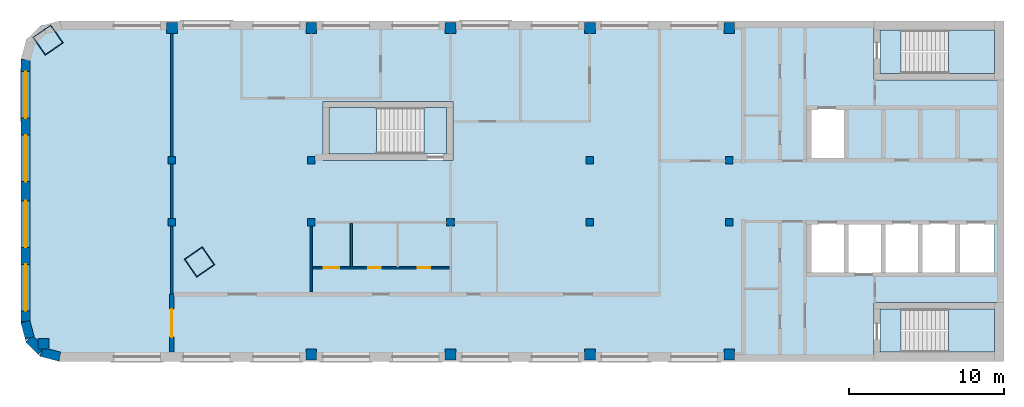
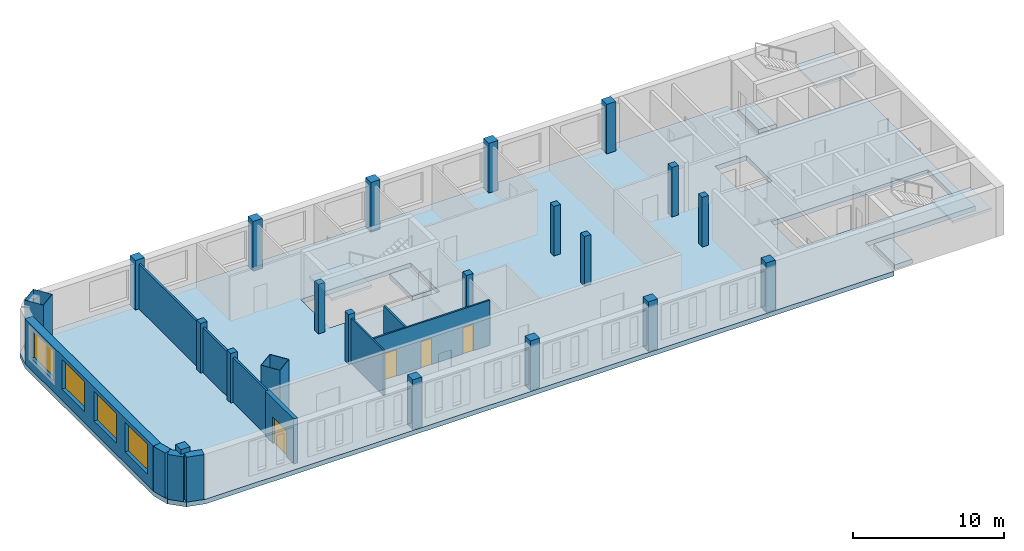
# One storey, part 1 of 6: 21 columns, 9 walls, 7 slabs, 4 doors, 4 windows, 8 openings, 3 elements without a shape of their own.
"""IFC4 building model written with IfcOpenShell, lengths in metres."""

from ifc_helpers import new_model, si_unit, direction, frame, frame_2d, origin, origin_2d, place, context, subcontext, project, spatial, polyline, rectangle, hollow_rectangle, outline, extrude, material, layer, layer_set, material_profile, profile_set, type_object, element, fill, aggregate, save


model = new_model("IFC4")

# Units and contexts
model_context = context("Model", 3, precision=1e-05, world=origin(), true_north=direction((0.0, 1.0)))
body_context = subcontext(model_context, "Body", "Model", "MODEL_VIEW")
ifc_project = project(units=[si_unit("LENGTHUNIT", "METRE"), si_unit("AREAUNIT", "SQUARE_METRE"), si_unit("VOLUMEUNIT", "CUBIC_METRE"), si_unit("PLANEANGLEUNIT", "RADIAN"), si_unit("MASSUNIT", "GRAM", prefix="KILO")], contexts=[model_context])

# Site, building, storey
site_placement = place(None, origin())
site = spatial("IfcSite", under=ifc_project, at=site_placement, CompositionType="ELEMENT")
building_placement = place(site_placement, origin())
building = spatial("IfcBuilding", under=site, at=building_placement, Name="Skarvind Civic Tower", CompositionType="ELEMENT")
storey_placement = place(building_placement, frame((0.0, 0.0, 269.5)))
storey = spatial("IfcBuildingStorey", under=building, at=storey_placement, Name="L64", CompositionType="ELEMENT", Elevation=269.5)

# Columns
ifc_material_1 = material(Name="Concrete C60", Category="concrete")
ifc_material_profile_1 = material_profile(ifc_material_1, rectangle(XDim=0.5, YDim=0.5, at=origin_2d()), Name="RC-500x500")
ifc_profile_set_1 = profile_set([ifc_material_profile_1], Name="Concrete C60")
column_type_1 = type_object("IfcColumnType", Name="Column RC-500x500 C60", PredefinedType="COLUMN", material=ifc_profile_set_1)
for number, where, z_axis, x_axis, name in (
    (1, (54.25, 130.0, 0.0), (0.0, 0.0, 1.0), (1.0, 0.0, 0.0), "Column wing 1 north inner 02 L64"),
    (2, (63.25, 130.0, 0.0), (0.0, 0.0, 1.0), (1.0, 0.0, 0.0), "Column wing 1 north inner 03 L64"),
    (3, (81.25, 130.0, 0.0), (0.0, 0.0, 1.0), (1.0, 0.0, 0.0), "Column wing 1 north inner 05 L64"),
    (4, (90.25, 130.0, 0.0), (0.0, 0.0, 1.0), (1.0, 0.0, 0.0), "Column wing 1 north inner 06 L64"),
    (5, (54.25, 126.0, 0.0), (0.0, 0.0, 1.0), (1.0, 0.0, 0.0), "Column wing 1 south inner 02 L64"),
    (6, (63.25, 126.0, 0.0), (0.0, 0.0, 1.0), (1.0, 0.0, 0.0), "Column wing 1 south inner 03 L64"),
    (7, (72.25, 126.0, 0.0), (0.0, 0.0, 1.0), (1.0, 0.0, 0.0), "Column wing 1 south inner 04 L64"),
    (8, (81.25, 126.0, 0.0), (0.0, 0.0, 1.0), (1.0, 0.0, 0.0), "Column wing 1 south inner 05 L64"),
    (9, (90.25, 126.0, 0.0), (0.0, 0.0, 1.0), (1.0, 0.0, 0.0), "Column wing 1 south inner 06 L64"),
):
    element("IfcColumn", number, at=place(storey_placement, frame(where, z_axis=z_axis, x_axis=x_axis)), inside=storey, type_object=column_type_1, Name=name, PredefinedType="COLUMN", context=body_context, shape_type="SweptSolid", body=[
        extrude(rectangle(XDim=0.5, YDim=0.5, at=origin_2d()), origin(), (0.0, 0.0, 1.0), 4.0),
    ])
ifc_material_profile_2 = material_profile(ifc_material_1, rectangle(XDim=0.699951171875, YDim=0.699951171875, at=origin_2d()), Name="RC-700x700")
ifc_profile_set_2 = profile_set([ifc_material_profile_2], Name="Concrete C60")
column_type_2 = type_object("IfcColumnType", Name="Column RC-700x700 C60", PredefinedType="COLUMN", material=ifc_profile_set_2)
for number, where, z_axis, x_axis, name in (
    (10, (54.25, 138.550048828125, 0.0), (0.0, 0.0, 1.0), (1.0, 0.0, 0.0), "Column wing 1 north perimeter 02 L64"),
    (11, (63.25, 138.550048828125, 0.0), (0.0, 0.0, 1.0), (1.0, 0.0, 0.0), "Column wing 1 north perimeter 03 L64"),
    (12, (72.25, 138.550048828125, 0.0), (0.0, 0.0, 1.0), (1.0, 0.0, 0.0), "Column wing 1 north perimeter 04 L64"),
    (13, (81.25, 138.550048828125, 0.0), (0.0, 0.0, 1.0), (1.0, 0.0, 0.0), "Column wing 1 north perimeter 05 L64"),
    (14, (90.25, 138.550048828125, 0.0), (0.0, 0.0, 1.0), (1.0, 0.0, 0.0), "Column wing 1 north perimeter 06 L64"),
    (15, (45.95166015625, 118.151611328125, 0.0), (0.0, 0.0, 1.0), (1.0, 0.0, 0.0), "Column wing 1 south perimeter 01 L64"),
    (16, (63.25, 117.449951171875, 0.0), (0.0, 0.0, 1.0), (1.0, 0.0, 0.0), "Column wing 1 south perimeter 03 L64"),
    (17, (72.25, 117.449951171875, 0.0), (0.0, 0.0, 1.0), (1.0, 0.0, 0.0), "Column wing 1 south perimeter 04 L64"),
    (18, (81.25, 117.449951171875, 0.0), (0.0, 0.0, 1.0), (1.0, 0.0, 0.0), "Column wing 1 south perimeter 05 L64"),
    (19, (90.25, 117.449951171875, 0.0), (0.0, 0.0, 1.0), (1.0, 0.0, 0.0), "Column wing 1 south perimeter 06 L64"),
):
    element("IfcColumn", number, at=place(storey_placement, frame(where, z_axis=z_axis, x_axis=x_axis)), inside=storey, type_object=column_type_2, Name=name, PredefinedType="COLUMN", context=body_context, shape_type="SweptSolid", body=[
        extrude(rectangle(XDim=0.699951171875, YDim=0.699951171875, at=origin_2d()), origin(), (0.0, 0.0, 1.0), 4.0),
    ])
ifc_material_2 = material(Name="Composite concrete-filled steel tube, Steel SM355 with Concrete C60", Category="concrete")
ifc_material_profile_3 = material_profile(ifc_material_2, hollow_rectangle(XDim=1.39990234375, YDim=1.39990234375, WallThickness=0.02490234375, at=origin_2d()), Name="BOX-1400x1400x25")
ifc_profile_set_3 = profile_set([ifc_material_profile_3], Name="Composite concrete-filled steel tube, Steel SM355 with Concrete C60")
column_type_3 = type_object("IfcColumnType", Name="Mega column BOX-1400x1400x25 filled C60", PredefinedType="COLUMN", material=ifc_profile_set_3)
for number, where, z_axis, x_axis, name in (
    (20, (46.2470703125, 137.762451171875, 0.0), (0.0, 0.0, 1.0), (0.573576436351, -0.819152044289, 0.0), "Mega column 2 L64"),
    (21, (56.0361328125, 123.43017578125, 0.0), (0.0, 0.0, 1.0), (0.573576436351, -0.819152044289, 0.0), "Mega column 4 L64"),
):
    element("IfcColumn", number, at=place(storey_placement, frame(where, z_axis=z_axis, x_axis=x_axis)), inside=storey, type_object=column_type_3, Name=name, PredefinedType="COLUMN", context=body_context, shape_type="SweptSolid", body=[
        extrude(hollow_rectangle(XDim=1.39990234375, YDim=1.39990234375, WallThickness=0.02490234375, at=origin_2d()), origin(), (0.0, 0.0, 1.0), 4.0),
    ])

# Slabs
ifc_material_3 = material(Name="Concrete C50", Category="concrete")
ifc_layer_1 = layer(ifc_material_3, 0.375)
ifc_layer_set_1 = layer_set([ifc_layer_1], Name="Floor slab 375 C50")
slab_type_1 = type_object("IfcSlabType", Name="Floor slab 375 C50", PredefinedType="FLOOR", material=ifc_layer_set_1)
slab_1_placement = place(storey_placement, frame((0.0, 0.0, -0.375)))
element("IfcSlab", 22, at=slab_1_placement, inside=storey, type_object=slab_type_1, Name="Floor slab L64 1", PredefinedType="FLOOR", context=body_context, shape_type="SweptSolid", body=[
    extrude(outline(polyline([(99.60009765625, 117.0), (99.60009765625, 120.800048828125), (108.0, 120.800048828125), (108.0, 135.199951171875), (99.60009765625, 135.199951171875), (99.60009765625, 139.0), (47.0, 139.0), (45.75, 138.6650390625), (44.8349609375, 137.75), (44.5, 136.5), (44.5, 119.5), (44.8349609375, 118.25), (45.75, 117.3349609375), (47.0, 117.0), (99.60009765625, 117.0)]), holes=[polyline([(95.39990234375, 126.0), (97.800048828125, 126.0), (100.199951171875, 126.0), (102.60009765625, 126.0), (105.0, 126.0), (107.39990234375, 126.0), (107.39990234375, 122.60009765625), (105.0, 122.60009765625), (102.60009765625, 122.60009765625), (100.199951171875, 122.60009765625), (97.800048828125, 122.60009765625), (95.39990234375, 122.60009765625), (95.39990234375, 126.0)]), polyline([(95.39990234375, 133.39990234375), (97.800048828125, 133.39990234375), (97.800048828125, 130.0), (95.39990234375, 130.0), (95.39990234375, 133.39990234375)]), polyline([(64.0, 130.0), (64.0, 133.800048828125), (72.39990234375, 133.800048828125), (72.39990234375, 130.0), (64.0, 130.0)])]), origin(), (0.0, 0.0, 1.0), 0.375),
])
ifc_material_4 = material(Name="Concrete C40/50", Category="concrete")
ifc_layer_2 = layer(ifc_material_4, 0.375)
ifc_layer_set_2 = layer_set([ifc_layer_2], Name="Stair floor landing slab 375")
slab_type_2 = type_object("IfcSlabType", Name="Stair floor landing slab 375", PredefinedType="LANDING", material=ifc_layer_set_2)
slab_2_placement = place(storey_placement, frame((0.0, 0.0, -0.375)))
element("IfcSlab", 23, at=slab_2_placement, inside=storey, type_object=slab_type_2, Name="Stair floor landing", PredefinedType="LANDING", context=body_context, shape_type="SweptSolid", body=[
    extrude(outline(polyline([(101.3505859375, 138.400634765625), (101.3505859375, 135.599365234375), (99.99951171875, 135.599365234375), (99.99951171875, 138.400634765625), (101.3505859375, 138.400634765625)])), origin(), (0.0, 0.0, 1.0), 0.375),
])
slab_3_placement = place(storey_placement, frame((0.0, 0.0, -0.375)))
element("IfcSlab", 24, at=slab_3_placement, inside=storey, type_object=slab_type_2, Name="Stair floor landing", PredefinedType="LANDING", context=body_context, shape_type="SweptSolid", body=[
    extrude(outline(polyline([(101.3505859375, 120.400634765625), (101.3505859375, 117.599365234375), (99.99951171875, 117.599365234375), (99.99951171875, 120.400634765625), (101.3505859375, 120.400634765625)])), origin(), (0.0, 0.0, 1.0), 0.375),
])
slab_4_placement = place(storey_placement, frame((0.0, 0.0, -0.375)))
element("IfcSlab", 25, at=slab_4_placement, inside=storey, type_object=slab_type_2, Name="Stair floor landing", PredefinedType="LANDING", context=body_context, shape_type="SweptSolid", body=[
    extrude(outline(polyline([(70.54931640625, 130.3994140625), (70.54931640625, 133.400634765625), (72.00048828125, 133.400634765625), (72.00048828125, 130.3994140625), (70.54931640625, 130.3994140625)])), origin(), (0.0, 0.0, 1.0), 0.375),
])

# Stair, slab
stair_type_1 = type_object("IfcStairType", Name="Exit stair, half-turn, concrete", PredefinedType="HALF_TURN_STAIR", material=ifc_material_4)
stair_1_placement = place(storey_placement, origin())
stair_1 = element("IfcStair", 26, at=stair_1_placement, inside=storey, type_object=stair_type_1, Name="Exit stair C1S", PredefinedType="HALF_TURN_STAIR")
ifc_layer_3 = layer(ifc_material_4, 0.199951171875)
ifc_layer_set_3 = layer_set([ifc_layer_3], Name="Stair half landing slab")
slab_type_3 = type_object("IfcSlabType", Name="Stair half landing slab", PredefinedType="LANDING", material=ifc_layer_set_3)
slab_5_placement = place(storey_placement, frame((0.0, 0.0, 1.800048828125)))
slab_5 = element("IfcSlab", 27, at=slab_5_placement, type_object=slab_type_3, Name="ST-C1S landing 1", PredefinedType="LANDING", context=body_context, shape_type="SweptSolid", body=[
    extrude(outline(polyline([(104.429443359375, 135.599365234375), (104.429443359375, 138.400634765625), (107.400634765625, 138.400634765625), (107.400634765625, 135.599365234375), (104.429443359375, 135.599365234375)])), origin(), (0.0, 0.0, 1.0), 0.199951171875),
])
aggregate(stair_1, [slab_5])

stair_2_placement = place(storey_placement, origin())
stair_2 = element("IfcStair", 28, at=stair_2_placement, inside=storey, type_object=stair_type_1, Name="Exit stair C1N", PredefinedType="HALF_TURN_STAIR")
slab_6_placement = place(storey_placement, frame((0.0, 0.0, 1.800048828125)))
slab_6 = element("IfcSlab", 29, at=slab_6_placement, type_object=slab_type_3, Name="ST-C1N landing 1", PredefinedType="LANDING", context=body_context, shape_type="SweptSolid", body=[
    extrude(outline(polyline([(104.429443359375, 117.599365234375), (104.429443359375, 120.400634765625), (107.400634765625, 120.400634765625), (107.400634765625, 117.599365234375), (104.429443359375, 117.599365234375)])), origin(), (0.0, 0.0, 1.0), 0.199951171875),
])
aggregate(stair_2, [slab_6])

stair_type_2 = type_object("IfcStairType", Name="Exit stair 1450, half-turn, concrete", PredefinedType="HALF_TURN_STAIR", material=ifc_material_4)
stair_3_placement = place(storey_placement, origin())
stair_3 = element("IfcStair", 30, at=stair_3_placement, inside=storey, type_object=stair_type_2, Name="Exit stair CM", PredefinedType="HALF_TURN_STAIR")
slab_7_placement = place(storey_placement, frame((0.0, 0.0, 1.800048828125)))
slab_7 = element("IfcSlab", 31, at=slab_7_placement, type_object=slab_type_3, Name="ST-CM landing 1", PredefinedType="LANDING", context=body_context, shape_type="SweptSolid", body=[
    extrude(outline(polyline([(67.470703125, 133.400634765625), (67.470703125, 130.3994140625), (64.3994140625, 130.3994140625), (64.3994140625, 133.400634765625), (67.470703125, 133.400634765625)])), origin(), (0.0, 0.0, 1.0), 0.199951171875),
])
aggregate(stair_3, [slab_7])

# Wall, opening, door
ifc_material_5 = material(Name="Fire-rated gypsum board on steel studs", Category="steel")
ifc_layer_4 = layer(ifc_material_5, 0.300048828125)
ifc_layer_set_4 = layer_set([ifc_layer_4], Name="CORRIDOR WALL 300")
wall_type_1 = type_object("IfcWallType", Name="CORRIDOR WALL 300", PredefinedType="PARTITIONING", material=ifc_layer_set_4)
wall_1_placement = place(storey_placement, frame((54.25, 117.60009765625, 0.0), z_axis=(0.0, 0.0, 1.0), x_axis=(0.0, 1.0, 0.0)))
wall_1 = element("IfcWall", 32, at=wall_1_placement, inside=storey, type_object=wall_type_1, Name="Partition 64.001", PredefinedType="PARTITIONING", context=body_context, shape_type="SweptSolid", body=[
    extrude(rectangle(XDim=3.75, YDim=0.300048828125, at=frame_2d((1.875, 0.0))), origin(), (0.0, 0.0, 1.0), 3.625),
])
opening_1_placement = place(wall_1_placement, frame((0.9765625, 0.0, 0.0)))
opening_1 = element("IfcOpeningElement", 33, at=opening_1_placement, cuts=wall_1, Name="Opening L64-D013", PredefinedType="OPENING", context=body_context, shape_type="SweptSolid", body=[
    extrude(rectangle(XDim=1.800048828125, YDim=2.10009765625, at=frame_2d((0.89990234375, 1.050048828125))), frame((0.0, 0.159912109375, 0.0), z_axis=(0.0, -1.0, 0.0), x_axis=(1.0, 0.0, 0.0)), (0.0, 0.0, 1.0), 0.320068359375),
])
ifc_material_6 = material(Name="Fire-rated timber door leaf", Category="wood")
door_type_1 = type_object("IfcDoorType", Name="FD4 1800x2100", OperationType="NOTDEFINED", PredefinedType="DOOR", material=ifc_material_6)
door_1_placement = place(opening_1_placement, origin())
door_1 = element("IfcDoor", 34, at=door_1_placement, inside=storey, type_object=door_type_1, Name="Door L64-D013", OperationType="DOUBLE_DOOR_SINGLE_SWING", OverallHeight=2.10009765625, OverallWidth=1.800048828125, PredefinedType="DOOR", context=body_context, shape_type="SweptSolid", body=[
    extrude(rectangle(XDim=1.800048828125, YDim=2.10009765625, at=frame_2d((0.89990234375, 1.050048828125))), frame((0.0, 0.02490234375, 0.0), z_axis=(0.0, -1.0, 0.0), x_axis=(1.0, 0.0, 0.0)), (0.0, 0.0, 1.0), 0.050048828125),
])
fill(opening_1, door_1)

# Walls
ifc_material_7 = material(Name="Plasterboard partition on steel studs", Category="steel")
ifc_layer_5 = layer(ifc_material_7, 0.14990234375)
ifc_layer_set_5 = layer_set([ifc_layer_5], Name="PARTITION 150")
wall_type_2 = type_object("IfcWallType", Name="PARTITION 150", PredefinedType="PARTITIONING", material=ifc_layer_set_5)
wall_2_placement = place(storey_placement, frame((54.25, 138.39990234375, 0.0), z_axis=(0.0, 0.0, 1.0), x_axis=(0.0, -1.0, 0.0)))
element("IfcWall", 35, at=wall_2_placement, inside=storey, type_object=wall_type_2, Name="Partition 64.003", PredefinedType="PARTITIONING", context=body_context, shape_type="SweptSolid", body=[
    extrude(rectangle(XDim=17.0498046875, YDim=0.14990234375, at=frame_2d((8.52490234375, 0.0))), origin(), (0.0, 0.0, 1.0), 3.625),
])
ifc_material_8 = material(Name="Moisture-resistant gypsum board on steel studs", Category="steel")
ifc_layer_6 = layer(ifc_material_8, 0.125)
ifc_layer_set_6 = layer_set([ifc_layer_6], Name="WC PARTITION 125")
wall_type_3 = type_object("IfcWallType", Name="WC PARTITION 125", PredefinedType="PARTITIONING", material=ifc_layer_set_6)
wall_3_placement = place(storey_placement, frame((63.25, 121.5, 0.0), z_axis=(0.0, 0.0, 1.0), x_axis=(0.0, 1.0, 0.0)))
element("IfcWall", 36, at=wall_3_placement, inside=storey, type_object=wall_type_3, Name="Partition 64.006", PredefinedType="PARTITIONING", context=body_context, shape_type="SweptSolid", body=[
    extrude(rectangle(XDim=4.43798828125, YDim=0.125, at=frame_2d((2.218994140625, 0.0))), origin(), (0.0, 0.0, 1.0), 3.625),
])

# Wall, openings, doors
wall_4_placement = place(storey_placement, frame((63.31201171875, 123.050048828125, 0.0), z_axis=(0.0, 0.0, 1.0), x_axis=(1.0, 0.0, 0.0)))
wall_4 = element("IfcWall", 37, at=wall_4_placement, inside=storey, type_object=wall_type_3, Name="Partition 64.007", PredefinedType="PARTITIONING", context=body_context, shape_type="SweptSolid", body=[
    extrude(rectangle(XDim=8.8759765625, YDim=0.125, at=frame_2d((4.43798828125, 0.0))), origin(), (0.0, 0.0, 1.0), 3.625),
])
opening_2_placement = place(wall_4_placement, frame((6.81689453125, 0.0, 0.0)))
opening_2 = element("IfcOpeningElement", 38, at=opening_2_placement, cuts=wall_4, Name="Opening L64-D007", PredefinedType="OPENING", context=body_context, shape_type="SweptSolid", body=[
    extrude(rectangle(XDim=0.800048828125, YDim=2.10009765625, at=frame_2d((0.39990234375, 1.050048828125))), frame((0.0, 0.072509765625, 0.0), z_axis=(0.0, -1.0, 0.0), x_axis=(1.0, 0.0, 0.0)), (0.0, 0.0, 1.0), 0.14501953125),
])
opening_3_placement = place(wall_4_placement, frame((3.637939453125, 0.0, 0.0)))
opening_3 = element("IfcOpeningElement", 39, at=opening_3_placement, cuts=wall_4, Name="Opening L64-D008", PredefinedType="OPENING", context=body_context, shape_type="SweptSolid", body=[
    extrude(rectangle(XDim=0.800048828125, YDim=2.10009765625, at=frame_2d((0.39990234375, 1.050048828125))), frame((0.0, 0.072509765625, 0.0), z_axis=(0.0, -1.0, 0.0), x_axis=(1.0, 0.0, 0.0)), (0.0, 0.0, 1.0), 0.14501953125),
])
opening_4_placement = place(wall_4_placement, frame((0.759033203125, 0.0, 0.0)))
opening_4 = element("IfcOpeningElement", 40, at=opening_4_placement, cuts=wall_4, Name="Opening L64-D009", PredefinedType="OPENING", context=body_context, shape_type="SweptSolid", body=[
    extrude(rectangle(XDim=1.0, YDim=2.10009765625, at=frame_2d((0.5, 1.050048828125))), frame((0.0, 0.072509765625, 0.0), z_axis=(0.0, -1.0, 0.0), x_axis=(1.0, 0.0, 0.0)), (0.0, 0.0, 1.0), 0.14501953125),
])
ifc_material_9 = material(Name="Timber door leaf", Category="wood")
door_type_2 = type_object("IfcDoorType", Name="D1 1000x2100", OperationType="NOTDEFINED", PredefinedType="DOOR", material=ifc_material_9)
door_2_placement = place(opening_4_placement, origin())
door_2 = element("IfcDoor", 41, at=door_2_placement, inside=storey, type_object=door_type_2, Name="Door L64-D009", OperationType="SINGLE_SWING_LEFT", OverallHeight=2.10009765625, OverallWidth=1.0, PredefinedType="DOOR", context=body_context, shape_type="SweptSolid", body=[
    extrude(rectangle(XDim=1.0, YDim=2.10009765625, at=frame_2d((0.5, 1.050048828125))), frame((0.0, 0.02490234375, 0.0), z_axis=(0.0, -1.0, 0.0), x_axis=(1.0, 0.0, 0.0)), (0.0, 0.0, 1.0), 0.050048828125),
])
fill(opening_4, door_2)
door_type_3 = type_object("IfcDoorType", Name="DOOR 800X2100 TIMBER", OperationType="NOTDEFINED", PredefinedType="DOOR", material=ifc_material_9)
door_3_placement = place(opening_2_placement, origin())
door_3 = element("IfcDoor", 42, at=door_3_placement, inside=storey, type_object=door_type_3, Name="Door L64-D007", OperationType="SINGLE_SWING_RIGHT", OverallHeight=2.10009765625, OverallWidth=0.800048828125, PredefinedType="DOOR", context=body_context, shape_type="SweptSolid", body=[
    extrude(rectangle(XDim=0.800048828125, YDim=2.10009765625, at=frame_2d((0.39990234375, 1.050048828125))), frame((0.0, 0.02490234375, 0.0), z_axis=(0.0, -1.0, 0.0), x_axis=(1.0, 0.0, 0.0)), (0.0, 0.0, 1.0), 0.050048828125),
])
fill(opening_2, door_3)
door_4_placement = place(opening_3_placement, origin())
door_4 = element("IfcDoor", 43, at=door_4_placement, inside=storey, type_object=door_type_3, Name="Door L64-D008", OperationType="SINGLE_SWING_LEFT", OverallHeight=2.10009765625, OverallWidth=0.800048828125, PredefinedType="DOOR", context=body_context, shape_type="SweptSolid", body=[
    extrude(rectangle(XDim=0.800048828125, YDim=2.10009765625, at=frame_2d((0.39990234375, 1.050048828125))), frame((0.0, 0.02490234375, 0.0), z_axis=(0.0, -1.0, 0.0), x_axis=(1.0, 0.0, 0.0)), (0.0, 0.0, 1.0), 0.050048828125),
])
fill(opening_3, door_4)

# Wall
wall_5_placement = place(storey_placement, frame((65.85009765625, 125.93798828125, 0.0), z_axis=(0.0, 0.0, 1.0), x_axis=(0.0, -1.0, 0.0)))
element("IfcWall", 44, at=wall_5_placement, inside=storey, type_object=wall_type_3, Name="Partition 64.010", PredefinedType="PARTITIONING", context=body_context, shape_type="SweptSolid", body=[
    extrude(rectangle(XDim=2.825927734375, YDim=0.125, at=frame_2d((1.4130859375, 0.0))), origin(), (0.0, 0.0, 1.0), 3.625),
])

# Wall, openings, windows
ifc_material_10 = material(Name="Standing-seam zinc cladding on insulated backing")
ifc_layer_7 = layer(ifc_material_10, 0.60009765625)
ifc_layer_set_7 = layer_set([ifc_layer_7], Name="WX2 ZINC-CLAD FACADE WALL 600")
wall_type_4 = type_object("IfcWallType", Name="WX2 ZINC-CLAD FACADE WALL 600", PredefinedType="SOLIDWALL", material=ifc_layer_set_7)
wall_6_placement = place(storey_placement, frame((44.800048828125, 119.570068359375, 0.0), z_axis=(0.0, 0.0, 1.0), x_axis=(0.0, 1.0, 0.0)))
wall_6 = element("IfcWall", 45, at=wall_6_placement, inside=storey, type_object=wall_type_4, Name="ZINC-CLAD FACADE WALL", PredefinedType="SOLIDWALL", context=body_context, shape_type="SweptSolid", body=[
    extrude(rectangle(XDim=16.929931640625, YDim=0.60009765625, at=frame_2d((8.46484375, 0.0))), origin(), (0.0, 0.0, 1.0), 3.625),
])
opening_5_placement = place(wall_6_placement, frame((0.705078125, 0.0, 0.89990234375)))
opening_5 = element("IfcOpeningElement", 46, at=opening_5_placement, cuts=wall_6, Name="Opening WN4", PredefinedType="OPENING", context=body_context, shape_type="SweptSolid", body=[
    extrude(rectangle(XDim=3.0, YDim=2.39990234375, at=frame_2d((1.5, 1.199951171875))), frame((0.0, 0.31005859375, 0.0), z_axis=(0.0, -1.0, 0.0), x_axis=(1.0, 0.0, 0.0)), (0.0, 0.0, 1.0), 0.6201171875),
])
opening_6_placement = place(wall_6_placement, frame((4.804931640625, 0.0, 0.89990234375)))
opening_6 = element("IfcOpeningElement", 47, at=opening_6_placement, cuts=wall_6, Name="Opening WN4", PredefinedType="OPENING", context=body_context, shape_type="SweptSolid", body=[
    extrude(rectangle(XDim=3.0, YDim=2.39990234375, at=frame_2d((1.5, 1.199951171875))), frame((0.0, 0.31005859375, 0.0), z_axis=(0.0, -1.0, 0.0), x_axis=(1.0, 0.0, 0.0)), (0.0, 0.0, 1.0), 0.6201171875),
])
opening_7_placement = place(wall_6_placement, frame((9.054931640625, 0.0, 0.89990234375)))
opening_7 = element("IfcOpeningElement", 48, at=opening_7_placement, cuts=wall_6, Name="Opening WN4", PredefinedType="OPENING", context=body_context, shape_type="SweptSolid", body=[
    extrude(rectangle(XDim=3.0, YDim=2.39990234375, at=frame_2d((1.5, 1.199951171875))), frame((0.0, 0.31005859375, 0.0), z_axis=(0.0, -1.0, 0.0), x_axis=(1.0, 0.0, 0.0)), (0.0, 0.0, 1.0), 0.6201171875),
])
opening_8_placement = place(wall_6_placement, frame((13.155029296875, 0.0, 0.89990234375)))
opening_8 = element("IfcOpeningElement", 49, at=opening_8_placement, cuts=wall_6, Name="Opening WN4", PredefinedType="OPENING", context=body_context, shape_type="SweptSolid", body=[
    extrude(rectangle(XDim=3.0, YDim=2.39990234375, at=frame_2d((1.5, 1.199951171875))), frame((0.0, 0.31005859375, 0.0), z_axis=(0.0, -1.0, 0.0), x_axis=(1.0, 0.0, 0.0)), (0.0, 0.0, 1.0), 0.6201171875),
])
ifc_material_11 = material(Name="Timber frame, double glazing, copper-lined reveal", Category="wood")
window_type = type_object("IfcWindowType", Name="WN4 COPPER-LINED WINDOW 3000 x 2400", PartitioningType="SINGLE_PANEL", PredefinedType="WINDOW", material=ifc_material_11)
window_1_placement = place(opening_5_placement, origin())
window_1 = element("IfcWindow", 50, at=window_1_placement, inside=storey, type_object=window_type, Name="WN4 WINDOW", OverallHeight=2.39990234375, OverallWidth=3.0, PartitioningType="SINGLE_PANEL", PredefinedType="WINDOW", context=body_context, shape_type="SweptSolid", body=[
    extrude(rectangle(XDim=3.0, YDim=2.39990234375, at=frame_2d((1.5, 1.199951171875))), frame((0.0, 0.030029296875, 0.0), z_axis=(0.0, -1.0, 0.0), x_axis=(1.0, 0.0, 0.0)), (0.0, 0.0, 1.0), 0.06005859375),
])
fill(opening_5, window_1)
window_2_placement = place(opening_6_placement, origin())
window_2 = element("IfcWindow", 51, at=window_2_placement, inside=storey, type_object=window_type, Name="WN4 WINDOW", OverallHeight=2.39990234375, OverallWidth=3.0, PartitioningType="SINGLE_PANEL", PredefinedType="WINDOW", context=body_context, shape_type="SweptSolid", body=[
    extrude(rectangle(XDim=3.0, YDim=2.39990234375, at=frame_2d((1.5, 1.199951171875))), frame((0.0, 0.030029296875, 0.0), z_axis=(0.0, -1.0, 0.0), x_axis=(1.0, 0.0, 0.0)), (0.0, 0.0, 1.0), 0.06005859375),
])
fill(opening_6, window_2)
window_3_placement = place(opening_7_placement, origin())
window_3 = element("IfcWindow", 52, at=window_3_placement, inside=storey, type_object=window_type, Name="WN4 WINDOW", OverallHeight=2.39990234375, OverallWidth=3.0, PartitioningType="SINGLE_PANEL", PredefinedType="WINDOW", context=body_context, shape_type="SweptSolid", body=[
    extrude(rectangle(XDim=3.0, YDim=2.39990234375, at=frame_2d((1.5, 1.199951171875))), frame((0.0, 0.030029296875, 0.0), z_axis=(0.0, -1.0, 0.0), x_axis=(1.0, 0.0, 0.0)), (0.0, 0.0, 1.0), 0.06005859375),
])
fill(opening_7, window_3)
window_4_placement = place(opening_8_placement, origin())
window_4 = element("IfcWindow", 53, at=window_4_placement, inside=storey, type_object=window_type, Name="WN4 WINDOW", OverallHeight=2.39990234375, OverallWidth=3.0, PartitioningType="SINGLE_PANEL", PredefinedType="WINDOW", context=body_context, shape_type="SweptSolid", body=[
    extrude(rectangle(XDim=3.0, YDim=2.39990234375, at=frame_2d((1.5, 1.199951171875))), frame((0.0, 0.030029296875, 0.0), z_axis=(0.0, -1.0, 0.0), x_axis=(1.0, 0.0, 0.0)), (0.0, 0.0, 1.0), 0.06005859375),
])
fill(opening_8, window_4)

# Walls
wall_7_placement = place(storey_placement, frame((45.0703125, 118.530517578125, 0.0), z_axis=(0.0, 0.0, 1.0), x_axis=(-0.25876985698, 0.965939004864, 0.0)))
element("IfcWall", 54, at=wall_7_placement, inside=storey, type_object=wall_type_4, Name="ZINC-CLAD FACADE WALL", PredefinedType="SOLIDWALL", context=body_context, shape_type="SweptSolid", body=[
    extrude(rectangle(XDim=1.083984375, YDim=0.60009765625, at=frame_2d((0.5419921875, 0.0))), origin(), (0.0, 0.0, 1.0), 3.625),
])
wall_8_placement = place(storey_placement, frame((45.813720703125, 117.695556640625, 0.0), z_axis=(0.0, 0.0, 1.0), x_axis=(-0.707106781187, 0.707106781187, 0.0)))
element("IfcWall", 55, at=wall_8_placement, inside=storey, type_object=wall_type_4, Name="ZINC-CLAD FACADE WALL", PredefinedType="SOLIDWALL", context=body_context, shape_type="SweptSolid", body=[
    extrude(rectangle(XDim=1.084228515625, YDim=0.60009765625, at=frame_2d((0.5419921875, 0.0))), origin(), (0.0, 0.0, 1.0), 3.625),
])
wall_9_placement = place(storey_placement, frame((47.010009765625, 117.307861328125, 0.0), z_axis=(0.0, 0.0, 1.0), x_axis=(-0.965909766102, 0.258878975098, 0.0)))
element("IfcWall", 56, at=wall_9_placement, inside=storey, type_object=wall_type_4, Name="ZINC-CLAD FACADE WALL", PredefinedType="SOLIDWALL", context=body_context, shape_type="SweptSolid", body=[
    extrude(rectangle(XDim=1.22412109375, YDim=0.60009765625, at=frame_2d((0.612060546875, 0.0))), origin(), (0.0, 0.0, 1.0), 3.625),
])

save(model, "model.ifc")
